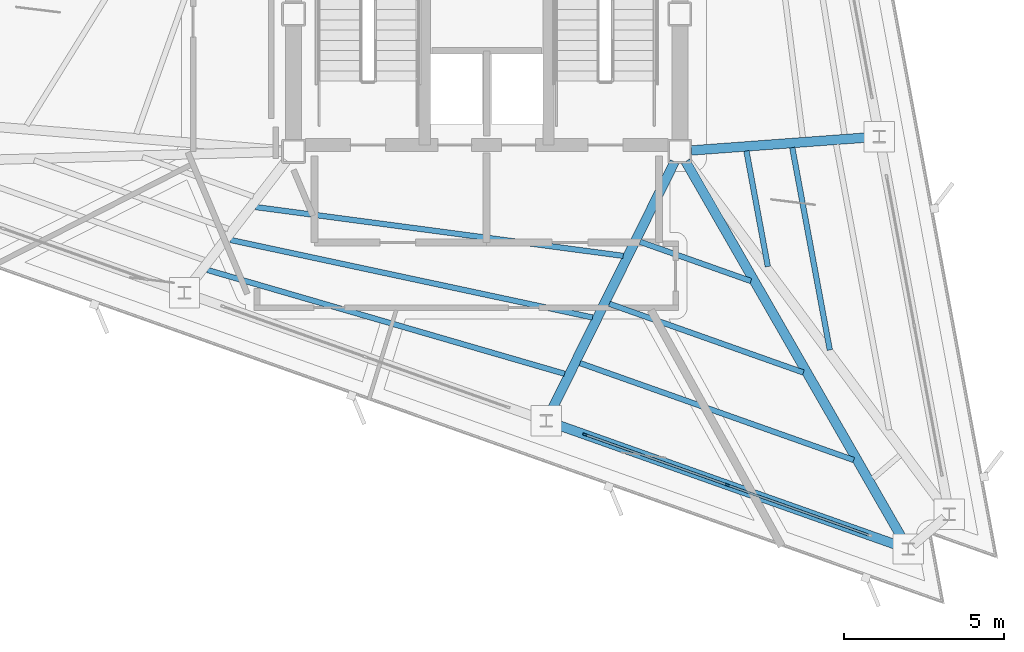
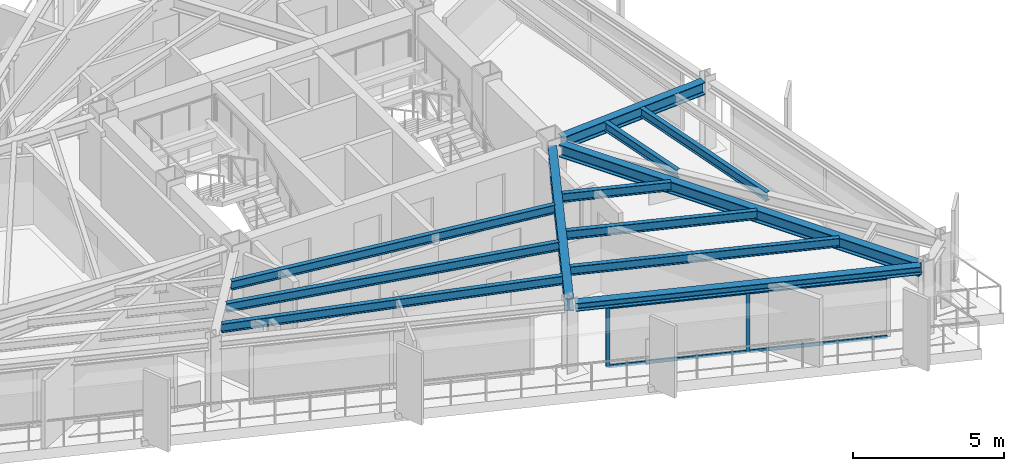
# One storey, part 3 of 14: 12 beams, 6 members, 1 element without a shape of its own.
"""IFC4 building model written with IfcOpenShell, lengths in metres."""

from ifc_helpers import new_model, si_unit, direction, frame, origin, origin_2d, place, context, subcontext, project, spatial, rectangle, i_section, extrude, material, layer, layer_set, material_profile, profile_set, type_object, element, aggregate, save


model = new_model("IFC4")

# Units and contexts
model_context = context("Model", 3, precision=1e-05, world=origin(), true_north=direction((0.0, 1.0)))
body_context = subcontext(model_context, "Body", "Model", "MODEL_VIEW")
ifc_project = project(units=[si_unit("LENGTHUNIT", "METRE"), si_unit("AREAUNIT", "SQUARE_METRE"), si_unit("VOLUMEUNIT", "CUBIC_METRE"), si_unit("PLANEANGLEUNIT", "RADIAN"), si_unit("MASSUNIT", "GRAM", prefix="KILO")], contexts=[model_context])

# Site, building, storey
site_placement = place(None, origin())
site = spatial("IfcSite", under=ifc_project, at=site_placement, CompositionType="ELEMENT")
building_placement = place(site_placement, origin())
building = spatial("IfcBuilding", under=site, at=building_placement, Name="Rocaltana Carrier Exchange", CompositionType="ELEMENT")
storey_placement = place(building_placement, frame((0.0, 0.0, 175.360107421875)))
storey = spatial("IfcBuildingStorey", under=building, at=storey_placement, Name="L55", CompositionType="ELEMENT", Elevation=175.360107421875)

# Curtain wall, members
ifc_material_1 = material(Name="Aluminium 6063-T6", Category="aluminium")
ifc_layer = layer(ifc_material_1, 0.135009765625)
ifc_layer_set = layer_set([ifc_layer], Name="Aluminium 6063-T6")
curtain_wall_type = type_object("IfcCurtainWallType", Name="Upper-Mid Acoustic Curtain Wall CW-04", PredefinedType="NOTDEFINED", material=ifc_layer_set)
curtain_wall_placement = place(storey_placement, origin())
curtain_wall = element("IfcCurtainWall", 1, at=curtain_wall_placement, inside=storey, type_object=curtain_wall_type, Name="L55 CW-04 Run CW-L55-F3S3", PredefinedType="NOTDEFINED")
ifc_material_2 = material(Name="Aluminium 6063-T6", Category="aluminium")
ifc_material_profile_1 = material_profile(ifc_material_2, rectangle(XDim=0.06494140625, YDim=0.135009765625, at=origin_2d()), Name="AL-65X135")
ifc_profile_set_1 = profile_set([ifc_material_profile_1], Name="Aluminium 6063-T6")
member_type_1 = type_object("IfcMemberType", Name="CW-04 Mullion AL-65X135", PredefinedType="MULLION", material=ifc_profile_set_1)
member_1_placement = place(storey_placement, frame((3.0771484375, -13.177001953125, 0.0), z_axis=(0.0, 0.0, 1.0), x_axis=(0.333798791936, 0.942644347833, 0.0)))
member_1 = element("IfcMember", 2, at=member_1_placement, type_object=member_type_1, Name="CW-04 mullion 1", PredefinedType="MULLION", context=body_context, shape_type="SweptSolid", body=[
    extrude(rectangle(XDim=0.06494140625, YDim=0.135009765625, at=origin_2d()), origin(), (0.0, 0.0, 1.0), 2.447998046875),
])
member_2_placement = place(storey_placement, frame((7.539794921875, -14.757080078125, 0.0), z_axis=(0.0, 0.0, 1.0), x_axis=(0.333798791936, 0.942644347833, 0.0)))
member_2 = element("IfcMember", 3, at=member_2_placement, type_object=member_type_1, Name="CW-04 mullion 2", PredefinedType="MULLION", context=body_context, shape_type="SweptSolid", body=[
    extrude(rectangle(XDim=0.06494140625, YDim=0.135009765625, at=origin_2d()), origin(), (0.0, 0.0, 1.0), 2.447998046875),
])
ifc_material_3 = material(Name="Aluminium 6063-T6", Category="aluminium")
ifc_material_profile_2 = material_profile(ifc_material_3, rectangle(XDim=0.06494140625, YDim=0.135009765625, at=origin_2d()), Name="AL-65X135")
ifc_profile_set_2 = profile_set([ifc_material_profile_2], Name="Aluminium 6063-T6")
member_type_2 = type_object("IfcMemberType", Name="CW-04 Transom AL-65X135", PredefinedType="USERDEFINED", material=ifc_profile_set_2)
member_3_placement = place(storey_placement, frame((3.107666015625, -13.187744140625, 0.032470703125), z_axis=(0.942642307572, -0.333804553558, 0.0), x_axis=(0.333804553558, 0.942642307572, 0.0)))
member_3 = element("IfcMember", 4, at=member_3_placement, type_object=member_type_2, Name="CW-04 transom 1.1", ObjectType="TRANSOM", PredefinedType="USERDEFINED", context=body_context, shape_type="SweptSolid", body=[
    extrude(rectangle(XDim=0.06494140625, YDim=0.135009765625, at=origin_2d()), origin(), (0.0, 0.0, 1.0), 4.669189453125),
])
member_4_placement = place(storey_placement, frame((3.107666015625, -13.187744140625, 2.415283203125), z_axis=(0.942642307572, -0.333804553558, 0.0), x_axis=(0.333804553558, 0.942642307572, 0.0)))
member_4 = element("IfcMember", 5, at=member_4_placement, type_object=member_type_2, Name="CW-04 transom 1.2", ObjectType="TRANSOM", PredefinedType="USERDEFINED", context=body_context, shape_type="SweptSolid", body=[
    extrude(rectangle(XDim=0.06494140625, YDim=0.135009765625, at=origin_2d()), origin(), (0.0, 0.0, 1.0), 4.669189453125),
])
member_5_placement = place(storey_placement, frame((7.5703125, -14.76806640625, 0.032470703125), z_axis=(0.942642307572, -0.333804553558, 0.0), x_axis=(0.333804553558, 0.942642307572, 0.0)))
member_5 = element("IfcMember", 6, at=member_5_placement, type_object=member_type_2, Name="CW-04 transom 2.1", ObjectType="TRANSOM", PredefinedType="USERDEFINED", context=body_context, shape_type="SweptSolid", body=[
    extrude(rectangle(XDim=0.06494140625, YDim=0.135009765625, at=origin_2d()), origin(), (0.0, 0.0, 1.0), 4.669189453125),
])
member_6_placement = place(storey_placement, frame((7.5703125, -14.76806640625, 2.415283203125), z_axis=(0.942642307572, -0.333804553558, 0.0), x_axis=(0.333804553558, 0.942642307572, 0.0)))
member_6 = element("IfcMember", 7, at=member_6_placement, type_object=member_type_2, Name="CW-04 transom 2.2", ObjectType="TRANSOM", PredefinedType="USERDEFINED", context=body_context, shape_type="SweptSolid", body=[
    extrude(rectangle(XDim=0.06494140625, YDim=0.135009765625, at=origin_2d()), origin(), (0.0, 0.0, 1.0), 4.669189453125),
])
aggregate(curtain_wall, [member_1, member_2, member_3, member_4, member_5, member_6])

# Beams
ifc_material_4 = material(Name="Steel S355", Category="steel")
ifc_material_profile_3 = material_profile(ifc_material_4, i_section(OverallWidth=0.172119140625, OverallDepth=0.35791015625, WebThickness=0.0078125, FlangeThickness=0.01318359375, FilletRadius=0.011962890625, at=origin_2d()), Name="W14X38")
ifc_profile_set_3 = profile_set([ifc_material_profile_3], Name="Steel S355")
beam_type_1 = type_object("IfcBeamType", Name="Floor Joist W14X38", PredefinedType="JOIST", material=ifc_profile_set_3)
beam_1_placement = place(storey_placement, frame((8.809814453125, -7.910888671875, 2.618896484375), z_axis=(-0.182226934398, 0.98325649979, 0.0), x_axis=(-0.98325649979, -0.182226934398, 0.0)))
element("IfcBeam", 8, at=beam_1_placement, inside=storey, type_object=beam_type_1, Name="FJ-L55-01-1", PredefinedType="JOIST", context=body_context, shape_type="SweptSolid", body=[
    extrude(i_section(OverallWidth=0.172119140625, OverallDepth=0.35791015625, WebThickness=0.0078125, FlangeThickness=0.01318359375, FilletRadius=0.011962890625, at=origin_2d()), origin(), (0.0, 0.0, 1.0), 3.68310546875),
])
beam_2_placement = place(storey_placement, frame((10.751708984375, -10.5263671875, 2.618896484375), z_axis=(-0.18226814906, 0.983248860583, 0.0), x_axis=(-0.983248860583, -0.18226814906, 0.0)))
element("IfcBeam", 9, at=beam_2_placement, inside=storey, type_object=beam_type_1, Name="FJ-L55-01-2", PredefinedType="JOIST", context=body_context, shape_type="SweptSolid", body=[
    extrude(i_section(OverallWidth=0.172119140625, OverallDepth=0.35791015625, WebThickness=0.0078125, FlangeThickness=0.01318359375, FilletRadius=0.011962890625, at=origin_2d()), origin(), (0.0, 0.0, 1.0), 6.450927734375),
])
beam_3_placement = place(storey_placement, frame((-7.242919921875, -6.04736328125, 2.618896484375), z_axis=(0.991307721648, -0.131563676599, 0.0), x_axis=(0.131563676599, 0.991307721648, 0.0)))
element("IfcBeam", 10, at=beam_3_placement, inside=storey, type_object=beam_type_1, Name="FJ-L55-10-1", PredefinedType="JOIST", context=body_context, shape_type="SweptSolid", body=[
    extrude(i_section(OverallWidth=0.172119140625, OverallDepth=0.35791015625, WebThickness=0.0078125, FlangeThickness=0.01318359375, FilletRadius=0.011962890625, at=origin_2d()), origin(), (0.0, 0.0, 1.0), 11.620361328125),
])
beam_4_placement = place(storey_placement, frame((-8.03271484375, -7.077880859375, 2.618896484375), z_axis=(0.977833801709, -0.209382559528, 0.0), x_axis=(0.209382559528, 0.977833801709, 0.0)))
element("IfcBeam", 11, at=beam_4_placement, inside=storey, type_object=beam_type_1, Name="FJ-L55-10-2", PredefinedType="JOIST", context=body_context, shape_type="SweptSolid", body=[
    extrude(i_section(OverallWidth=0.172119140625, OverallDepth=0.35791015625, WebThickness=0.0078125, FlangeThickness=0.01318359375, FilletRadius=0.011962890625, at=origin_2d()), origin(), (0.0, 0.0, 1.0), 11.6064453125),
])
beam_5_placement = place(storey_placement, frame((-8.75439453125, -8.018798828125, 2.618896484375), z_axis=(0.960273483181, -0.279060634091, 0.0), x_axis=(0.279060634091, 0.960273483181, 0.0)))
element("IfcBeam", 12, at=beam_5_placement, inside=storey, type_object=beam_type_1, Name="FJ-L55-10-3", PredefinedType="JOIST", context=body_context, shape_type="SweptSolid", body=[
    extrude(i_section(OverallWidth=0.172119140625, OverallDepth=0.35791015625, WebThickness=0.0078125, FlangeThickness=0.01318359375, FilletRadius=0.011962890625, at=origin_2d()), origin(), (0.0, 0.0, 1.0), 11.658447265625),
])
beam_6_placement = place(storey_placement, frame((4.8056640625, -7.13623046875, 2.618896484375), z_axis=(0.942660683234, -0.333752657344, 0.0), x_axis=(0.333752657344, 0.942660683234, 0.0)))
element("IfcBeam", 13, at=beam_6_placement, inside=storey, type_object=beam_type_1, Name="FJ-L55-11-1", PredefinedType="JOIST", context=body_context, shape_type="SweptSolid", body=[
    extrude(i_section(OverallWidth=0.172119140625, OverallDepth=0.35791015625, WebThickness=0.0078125, FlangeThickness=0.01318359375, FilletRadius=0.011962890625, at=origin_2d()), origin(), (0.0, 0.0, 1.0), 3.68310546875),
])
beam_7_placement = place(storey_placement, frame((3.843994140625, -9.079345703125, 2.618896484375), z_axis=(0.942637646352, -0.333817716246, 0.0), x_axis=(0.333817716246, 0.942637646352, 0.0)))
element("IfcBeam", 14, at=beam_7_placement, inside=storey, type_object=beam_type_1, Name="FJ-L55-11-2", PredefinedType="JOIST", context=body_context, shape_type="SweptSolid", body=[
    extrude(i_section(OverallWidth=0.172119140625, OverallDepth=0.35791015625, WebThickness=0.0078125, FlangeThickness=0.01318359375, FilletRadius=0.011962890625, at=origin_2d()), origin(), (0.0, 0.0, 1.0), 6.45068359375),
])
beam_8_placement = place(storey_placement, frame((2.923828125, -10.93798828125, 2.618896484375), z_axis=(0.942637076776, -0.333819324616, 0.0), x_axis=(0.333819324616, 0.942637076776, 0.0)))
element("IfcBeam", 15, at=beam_8_placement, inside=storey, type_object=beam_type_1, Name="FJ-L55-11-3", PredefinedType="JOIST", context=body_context, shape_type="SweptSolid", body=[
    extrude(i_section(OverallWidth=0.172119140625, OverallDepth=0.35791015625, WebThickness=0.0078125, FlangeThickness=0.01318359375, FilletRadius=0.011962890625, at=origin_2d()), origin(), (0.0, 0.0, 1.0), 9.09814453125),
])
ifc_material_5 = material(Name="Steel S355", Category="steel")
ifc_material_profile_4 = material_profile(ifc_material_5, i_section(OverallWidth=0.300048828125, OverallDepth=0.320068359375, WebThickness=0.011474609375, FlangeThickness=0.0205078125, FilletRadius=0.027099609375, at=origin_2d()), Name="HEB320")
ifc_profile_set_4 = profile_set([ifc_material_profile_4], Name="Steel S355")
beam_type_2 = type_object("IfcBeamType", Name="Spandrel Edge Beam HEB320", PredefinedType="SPANDREL", material=ifc_profile_set_4)
beam_9_placement = place(storey_placement, frame((2.043212890625, -12.810791015625, 2.637939453125), z_axis=(0.942643145042, -0.333802188587, 0.0), x_axis=(0.333802188587, 0.942643145042, 0.0)))
element("IfcBeam", 16, at=beam_9_placement, inside=storey, type_object=beam_type_2, Name="SP-L55-11", PredefinedType="SPANDREL", context=body_context, shape_type="SweptSolid", body=[
    extrude(i_section(OverallWidth=0.300048828125, OverallDepth=0.320068359375, WebThickness=0.011474609375, FlangeThickness=0.0205078125, FilletRadius=0.027099609375, at=origin_2d()), origin(), (0.0, 0.0, 1.0), 11.662109375),
])
ifc_material_6 = material(Name="Steel S355", Category="steel")
ifc_material_profile_5 = material_profile(ifc_material_6, i_section(OverallWidth=0.300048828125, OverallDepth=0.5, WebThickness=0.014404296875, FlangeThickness=0.028076171875, FilletRadius=0.027099609375, at=origin_2d()), Name="HEB500")
ifc_profile_set_5 = profile_set([ifc_material_profile_5], Name="Steel S355")
beam_type_3 = type_object("IfcBeamType", Name="Upper Radial Girder HEB500", PredefinedType="BEAM", material=ifc_profile_set_5)
beam_10_placement = place(storey_placement, frame((6.416015625, -4.27294921875, 2.5478515625), z_axis=(0.997295894511, 0.07349080753, 0.0), x_axis=(-0.07349080753, 0.997295894511, 0.0)))
element("IfcBeam", 17, at=beam_10_placement, inside=storey, type_object=beam_type_3, Name="RG-L55-02", PredefinedType="BEAM", context=body_context, shape_type="SweptSolid", body=[
    extrude(i_section(OverallWidth=0.300048828125, OverallDepth=0.5, WebThickness=0.014404296875, FlangeThickness=0.028076171875, FilletRadius=0.027099609375, at=origin_2d()), origin(), (0.0, 0.0, 1.0), 5.7138671875),
])
beam_11_placement = place(storey_placement, frame((5.88720703125, -4.62890625, 2.5478515625), z_axis=(-0.443600626988, -0.896224572156, 0.0), x_axis=(0.896224572156, -0.443600626988, 0.0)))
element("IfcBeam", 18, at=beam_11_placement, inside=storey, type_object=beam_type_3, Name="RG-L55-11", PredefinedType="BEAM", context=body_context, shape_type="SweptSolid", body=[
    extrude(i_section(OverallWidth=0.300048828125, OverallDepth=0.5, WebThickness=0.014404296875, FlangeThickness=0.028076171875, FilletRadius=0.027099609375, at=origin_2d()), origin(), (0.0, 0.0, 1.0), 8.87451171875),
])
beam_12_placement = place(storey_placement, frame((6.23291015625, -4.6181640625, 2.5478515625), z_axis=(0.498128981012, -0.867102945604, 0.0), x_axis=(0.867102945604, 0.498128981012, 0.0)))
element("IfcBeam", 19, at=beam_12_placement, inside=storey, type_object=beam_type_3, Name="RG-L55-12", PredefinedType="BEAM", context=body_context, shape_type="SweptSolid", body=[
    extrude(i_section(OverallWidth=0.300048828125, OverallDepth=0.5, WebThickness=0.014404296875, FlangeThickness=0.028076171875, FilletRadius=0.027099609375, at=origin_2d()), origin(), (0.0, 0.0, 1.0), 13.82373046875),
])

save(model, "model.ifc")
